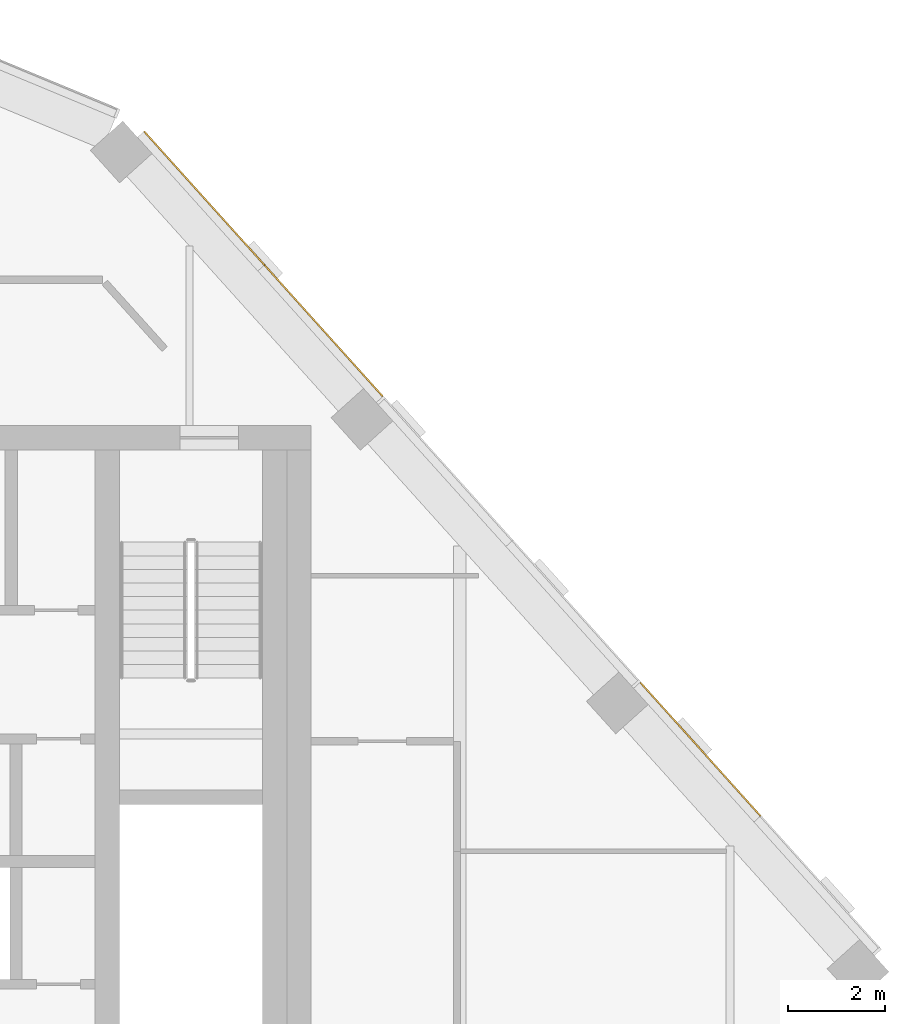
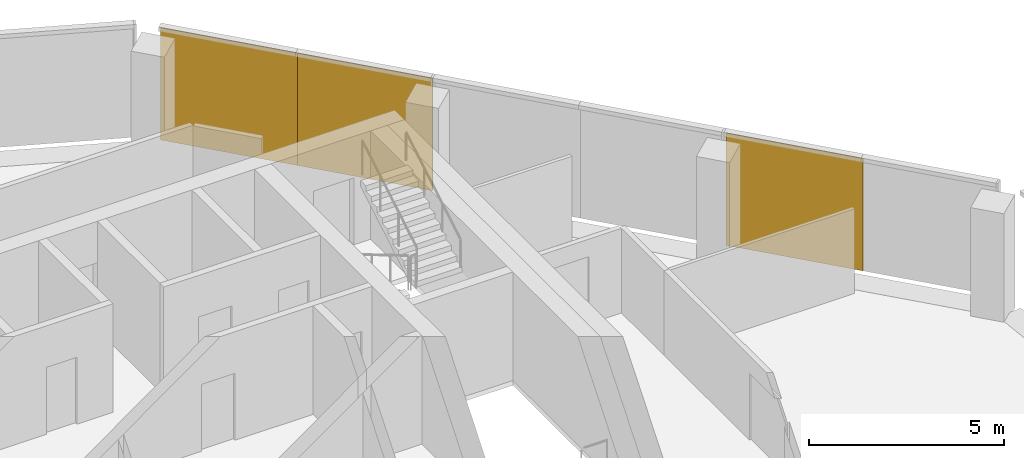
# One storey, part 13 of 13: 3 coverings, 1 element without a shape of its own.
"""IFC4 building model written with IfcOpenShell, lengths in metres."""

from ifc_helpers import new_model, si_unit, direction, frame, origin, origin_2d, place, context, subcontext, project, spatial, rectangle, extrude, material, layer, layer_set, type_object, element, aggregate, save


model = new_model("IFC4")

# Units and contexts
model_context = context("Model", 3, precision=1e-05, world=origin(), true_north=direction((0.0, 1.0)))
body_context = subcontext(model_context, "Body", "Model", "MODEL_VIEW")
ifc_project = project(units=[si_unit("LENGTHUNIT", "METRE"), si_unit("AREAUNIT", "SQUARE_METRE"), si_unit("VOLUMEUNIT", "CUBIC_METRE"), si_unit("PLANEANGLEUNIT", "RADIAN"), si_unit("MASSUNIT", "GRAM", prefix="KILO")], contexts=[model_context])

# Site, building, storey
site_placement = place(None, origin())
site = spatial("IfcSite", under=ifc_project, at=site_placement, CompositionType="ELEMENT")
building_placement = place(site_placement, origin())
building = spatial("IfcBuilding", under=site, at=building_placement, Name="Isthmus Gate Tower", CompositionType="ELEMENT")
storey_placement = place(building_placement, frame((0.0, 0.0, 297.449951171875)))
storey = spatial("IfcBuildingStorey", under=building, at=storey_placement, Name="L76", CompositionType="ELEMENT", Elevation=297.449951171875)

# Curtain wall, coverings
ifc_material_1 = material(Name="Aluminium, pale champagne anodised", Category="aluminium")
ifc_layer_1 = layer(ifc_material_1, 0.199951171875)
ifc_layer_set_1 = layer_set([ifc_layer_1], Name="CW-1 UNITISED CURTAIN WALL 200 DEEP")
curtain_wall_type = type_object("IfcCurtainWallType", Name="CW-1 UNITISED CURTAIN WALL 200 DEEP", PredefinedType="NOTDEFINED", material=ifc_layer_set_1)
curtain_wall_placement = place(storey_placement, origin())
curtain_wall = element("IfcCurtainWall", 1, at=curtain_wall_placement, inside=storey, type_object=curtain_wall_type, Name="CW-1 NE L76", PredefinedType="NOTDEFINED")
ifc_material_2 = material(Name="Aluminium composite panel, pale champagne anodised", Category="aluminium")
ifc_layer_2 = layer(ifc_material_2, 0.031982421875)
ifc_layer_set_2 = layer_set([ifc_layer_2], Name="CW-1 PALE METAL PANEL 32")
covering_type = type_object("IfcCoveringType", Name="CW-1 PALE METAL PANEL 32", PredefinedType="CLADDING", material=ifc_layer_set_2)
covering_1_placement = place(storey_placement, frame((23.012939453125, 8.33837890625, 0.0), z_axis=(0.0, 0.0, 1.0), x_axis=(-0.669130606359, 0.743144825477, 0.0)))
covering_1 = element("IfcCovering", 2, at=covering_1_placement, type_object=covering_type, Name="CW-1 pale metal panel", PredefinedType="CLADDING", context=body_context, shape_type="SweptSolid", body=[
    extrude(rectangle(XDim=3.703369140625, YDim=0.031982421875, at=origin_2d()), origin(), (0.0, 0.0, 1.0), 3.52001953125),
])
covering_2_placement = place(storey_placement, frame((15.257568359375, 16.95166015625, 0.0), z_axis=(0.0, 0.0, 1.0), x_axis=(-0.669130606359, 0.743144825477, 0.0)))
covering_2 = element("IfcCovering", 3, at=covering_2_placement, type_object=covering_type, Name="CW-1 pale metal panel", PredefinedType="CLADDING", context=body_context, shape_type="SweptSolid", body=[
    extrude(rectangle(XDim=3.643310546875, YDim=0.031982421875, at=origin_2d()), origin(), (0.0, 0.0, 1.0), 3.52001953125),
])
covering_3_placement = place(storey_placement, frame((12.799560546875, 19.681396484375, 0.0), z_axis=(0.0, 0.0, 1.0), x_axis=(-0.669130606359, 0.743144825477, 0.0)))
covering_3 = element("IfcCovering", 4, at=covering_3_placement, type_object=covering_type, Name="CW-1 pale metal panel", PredefinedType="CLADDING", context=body_context, shape_type="SweptSolid", body=[
    extrude(rectangle(XDim=3.703369140625, YDim=0.031982421875, at=origin_2d()), origin(), (0.0, 0.0, 1.0), 3.52001953125),
])
aggregate(curtain_wall, [covering_1, covering_2, covering_3])

save(model, "model.ifc")
